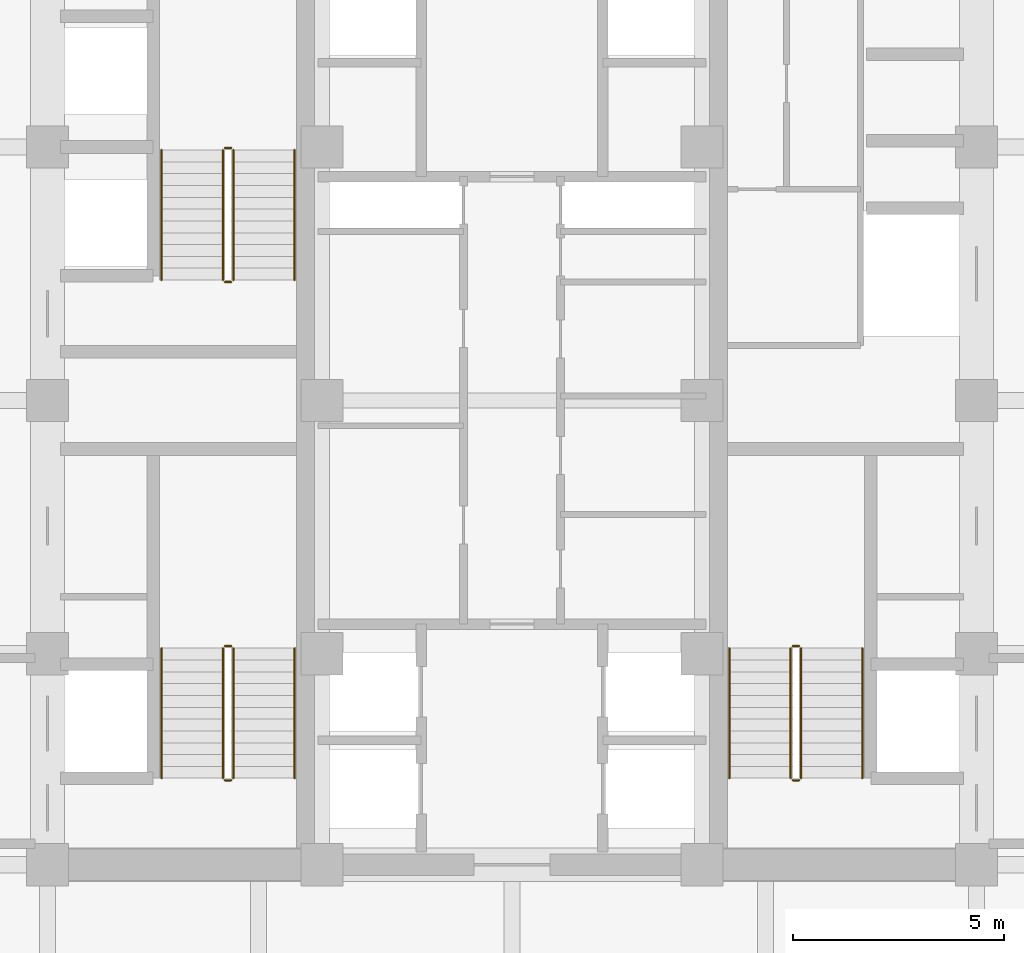
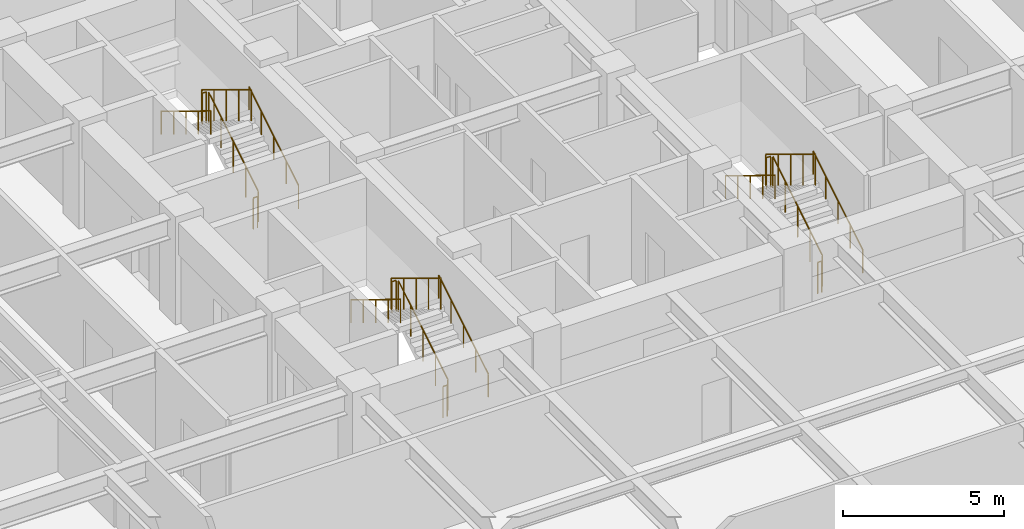
# One storey, part 28 of 28: 18 railings.
"""IFC4 building model written with IfcOpenShell, lengths in metres."""

from ifc_helpers import new_model, si_unit, direction, frame, origin, origin_2d, place, context, subcontext, project, spatial, circle, extrude, source, transform, mapped, material, type_object, element, save


model = new_model("IFC4")

# Units and contexts
model_context = context("Model", 3, precision=1e-05, world=origin(), true_north=direction((0.0, 1.0)))
body_context = subcontext(model_context, "Body", "Model", "MODEL_VIEW")
ifc_project = project(units=[si_unit("LENGTHUNIT", "METRE"), si_unit("AREAUNIT", "SQUARE_METRE"), si_unit("VOLUMEUNIT", "CUBIC_METRE"), si_unit("PLANEANGLEUNIT", "RADIAN"), si_unit("MASSUNIT", "GRAM", prefix="KILO")], contexts=[model_context])

# Site, building, storey
site_placement = place(None, origin())
site = spatial("IfcSite", under=ifc_project, at=site_placement, CompositionType="ELEMENT")
building_placement = place(site_placement, origin())
building = spatial("IfcBuilding", under=site, at=building_placement, Name="Khorayat Bourse Tower", CompositionType="ELEMENT")
storey_placement = place(building_placement, frame((0.0, 0.0, 120.10009765625)))
storey = spatial("IfcBuildingStorey", under=building, at=storey_placement, Name="L27", CompositionType="ELEMENT", Elevation=120.10009765625)

# Railings
ifc_material_1 = material(Name="Powder-coated steel balustrade", Category="steel")
railing_type_1 = type_object("IfcRailingType", Name="RLG-GUARD-1200", PredefinedType="GUARDRAIL", material=ifc_material_1)
shared_shape_1 = source(origin(), body_context, "Body", "SweptSolid", [
    extrude(circle(Radius=0.02392578125, at=origin_2d()), frame((0.0, 0.0, 1.17578125), z_axis=(-1.0, 0.0, 0.0), x_axis=(0.0, -1.0, 0.0)), (0.0, 0.0, 1.0), 0.150146484375),
    extrude(circle(Radius=0.02099609375, at=origin_2d()), origin(), (0.0, 0.0, 1.0), 1.15185546875),
    extrude(circle(Radius=0.02099609375, at=origin_2d()), frame((-0.150146484375, 0.0, 0.0)), (0.0, 0.0, 1.0), 1.15185546875),
])
for number, where, name in (
    (1, (-6.64990234375, -5.820068359375, 2.0498046875), "L27 ST-1 stair guard 2"),
    (2, (-6.64990234375, -9.0, 0.0), "L27 ST-1 stair guard 4"),
    (3, (-6.64990234375, 5.97998046875, 2.0498046875), "L27 ST-2 stair guard 2"),
    (4, (-6.64990234375, 2.800048828125, 0.0), "L27 ST-2 stair guard 4"),
    (5, (6.800048828125, -5.820068359375, 2.0498046875), "L27 ST-3 stair guard 2"),
    (6, (6.800048828125, -9.0, 0.0), "L27 ST-3 stair guard 4"),
):
    element("IfcRailing", number, at=place(storey_placement, frame(where)), inside=storey, type_object=railing_type_1, Name=name, PredefinedType="GUARDRAIL", context=body_context, shape_type="MappedRepresentation", body=[
        mapped(shared_shape_1, transform((0.0, 0.0, 0.0), scale=1.0)),
    ])
shared_shape_2 = source(origin(), body_context, "Body", "SweptSolid", [
    extrude(circle(Radius=0.02392578125, at=origin_2d()), frame((0.0, 0.0, 1.17578125), z_axis=(0.0, 0.853647949592, 0.520850437417), x_axis=(-1.0, 0.0, 0.0)), (0.0, 0.0, 1.0), 3.60791015625),
    extrude(circle(Radius=0.02099609375, at=origin_2d()), origin(), (0.0, 0.0, 1.0), 1.15185546875),
    extrude(circle(Radius=0.02099609375, at=origin_2d()), frame((0.0, 0.77001953125, 0.4697265625)), (0.0, 0.0, 1.0), 1.15185546875),
    extrude(circle(Radius=0.02099609375, at=origin_2d()), frame((0.0, 1.5400390625, 0.939453125)), (0.0, 0.0, 1.0), 1.15185546875),
    extrude(circle(Radius=0.02099609375, at=origin_2d()), frame((0.0, 2.309814453125, 1.409423828125)), (0.0, 0.0, 1.0), 1.15185546875),
    extrude(circle(Radius=0.02099609375, at=origin_2d()), frame((0.0, 3.079833984375, 1.879150390625)), (0.0, 0.0, 1.0), 1.15185546875),
])
for number, where, name in (
    (7, (-6.60009765625, -8.949951171875, 0.170654296875), "L27 ST-1 stair guard 1"),
    (8, (-6.60009765625, 2.85009765625, 0.170654296875), "L27 ST-2 stair guard 1"),
    (9, (6.85009765625, -8.949951171875, 0.170654296875), "L27 ST-3 stair guard 1"),
):
    element("IfcRailing", number, at=place(storey_placement, frame(where)), inside=storey, type_object=railing_type_1, Name=name, PredefinedType="GUARDRAIL", context=body_context, shape_type="MappedRepresentation", body=[
        mapped(shared_shape_2, transform((0.0, 0.0, 0.0), scale=1.0)),
    ])
shared_shape_3 = source(origin(), body_context, "Body", "SweptSolid", [
    extrude(circle(Radius=0.02392578125, at=origin_2d()), frame((0.0, 0.0, 1.17578125), z_axis=(0.0, -0.853647949592, 0.520850437417), x_axis=(1.0, 0.0, 0.0)), (0.0, 0.0, 1.0), 3.60791015625),
    extrude(circle(Radius=0.02099609375, at=origin_2d()), origin(), (0.0, 0.0, 1.0), 1.15185546875),
    extrude(circle(Radius=0.02099609375, at=origin_2d()), frame((0.0, -0.77001953125, 0.4697265625)), (0.0, 0.0, 1.0), 1.15185546875),
    extrude(circle(Radius=0.02099609375, at=origin_2d()), frame((0.0, -1.5400390625, 0.939453125)), (0.0, 0.0, 1.0), 1.15185546875),
    extrude(circle(Radius=0.02099609375, at=origin_2d()), frame((0.0, -2.309814453125, 1.409423828125)), (0.0, 0.0, 1.0), 1.15185546875),
    extrude(circle(Radius=0.02099609375, at=origin_2d()), frame((0.0, -3.079833984375, 1.879150390625)), (0.0, 0.0, 1.0), 1.15185546875),
])
for number, where, name in (
    (10, (-6.85009765625, -5.8701171875, 2.220703125), "L27 ST-1 stair guard 3"),
    (11, (-6.85009765625, 5.929931640625, 2.220703125), "L27 ST-2 stair guard 3"),
    (12, (6.60009765625, -5.8701171875, 2.220703125), "L27 ST-3 stair guard 3"),
):
    element("IfcRailing", number, at=place(storey_placement, frame(where)), inside=storey, type_object=railing_type_1, Name=name, PredefinedType="GUARDRAIL", context=body_context, shape_type="MappedRepresentation", body=[
        mapped(shared_shape_3, transform((0.0, 0.0, 0.0), scale=1.0)),
    ])
ifc_material_2 = material(Name="Brushed bronze stainless-steel handrail", Category="steel")
railing_type_2 = type_object("IfcRailingType", Name="RLG-HAND-900", PredefinedType="HANDRAIL", material=ifc_material_2)
shared_shape_4 = source(origin(), body_context, "Body", "SweptSolid", [
    extrude(circle(Radius=0.02392578125, at=origin_2d()), frame((0.0, 0.0, 0.8759765625), z_axis=(0.0, 0.853647949592, 0.520850437417), x_axis=(-1.0, 0.0, 0.0)), (0.0, 0.0, 1.0), 3.60791015625),
    extrude(circle(Radius=0.02099609375, at=origin_2d()), origin(), (0.0, 0.0, 1.0), 0.851806640625),
    extrude(circle(Radius=0.02099609375, at=origin_2d()), frame((0.0, 0.77001953125, 0.4697265625)), (0.0, 0.0, 1.0), 0.851806640625),
    extrude(circle(Radius=0.02099609375, at=origin_2d()), frame((0.0, 1.5400390625, 0.939453125)), (0.0, 0.0, 1.0), 0.851806640625),
    extrude(circle(Radius=0.02099609375, at=origin_2d()), frame((0.0, 2.309814453125, 1.409423828125)), (0.0, 0.0, 1.0), 0.851806640625),
    extrude(circle(Radius=0.02099609375, at=origin_2d()), frame((0.0, 3.079833984375, 1.879150390625)), (0.0, 0.0, 1.0), 0.851806640625),
])
for number, where, name in (
    (13, (-5.14990234375, -8.949951171875, 0.170654296875), "L27 ST-1 stair handrail 1"),
    (14, (-5.14990234375, 2.85009765625, 0.170654296875), "L27 ST-2 stair handrail 1"),
    (15, (8.300048828125, -8.949951171875, 0.170654296875), "L27 ST-3 stair handrail 1"),
):
    element("IfcRailing", number, at=place(storey_placement, frame(where)), inside=storey, type_object=railing_type_2, Name=name, PredefinedType="HANDRAIL", context=body_context, shape_type="MappedRepresentation", body=[
        mapped(shared_shape_4, transform((0.0, 0.0, 0.0), scale=1.0)),
    ])
shared_shape_5 = source(origin(), body_context, "Body", "SweptSolid", [
    extrude(circle(Radius=0.02392578125, at=origin_2d()), frame((0.0, 0.0, 0.8759765625), z_axis=(0.0, -0.853647949592, 0.520850437417), x_axis=(1.0, 0.0, 0.0)), (0.0, 0.0, 1.0), 3.60791015625),
    extrude(circle(Radius=0.02099609375, at=origin_2d()), origin(), (0.0, 0.0, 1.0), 0.851806640625),
    extrude(circle(Radius=0.02099609375, at=origin_2d()), frame((0.0, -0.77001953125, 0.4697265625)), (0.0, 0.0, 1.0), 0.851806640625),
    extrude(circle(Radius=0.02099609375, at=origin_2d()), frame((0.0, -1.5400390625, 0.939453125)), (0.0, 0.0, 1.0), 0.851806640625),
    extrude(circle(Radius=0.02099609375, at=origin_2d()), frame((0.0, -2.309814453125, 1.409423828125)), (0.0, 0.0, 1.0), 0.851806640625),
    extrude(circle(Radius=0.02099609375, at=origin_2d()), frame((0.0, -3.079833984375, 1.879150390625)), (0.0, 0.0, 1.0), 0.851806640625),
])
for number, where, name in (
    (16, (-8.300048828125, -5.8701171875, 2.220703125), "L27 ST-1 stair handrail 2"),
    (17, (-8.300048828125, 5.929931640625, 2.220703125), "L27 ST-2 stair handrail 2"),
    (18, (5.14990234375, -5.8701171875, 2.220703125), "L27 ST-3 stair handrail 2"),
):
    element("IfcRailing", number, at=place(storey_placement, frame(where)), inside=storey, type_object=railing_type_2, Name=name, PredefinedType="HANDRAIL", context=body_context, shape_type="MappedRepresentation", body=[
        mapped(shared_shape_5, transform((0.0, 0.0, 0.0), scale=1.0)),
    ])

save(model, "model.ifc")
